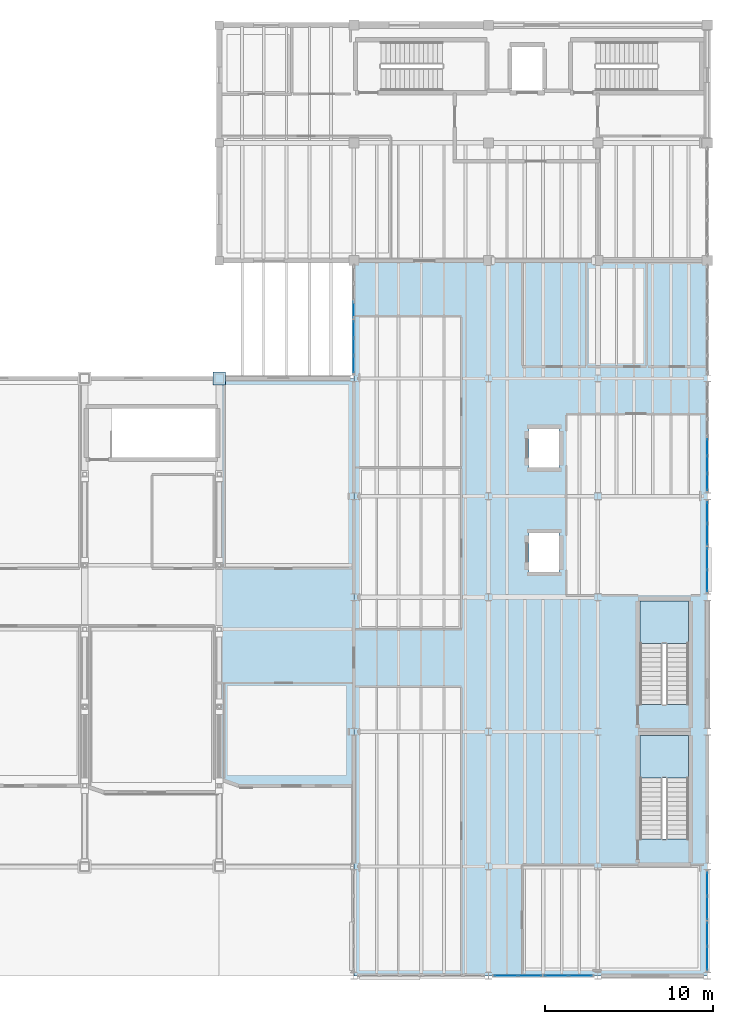
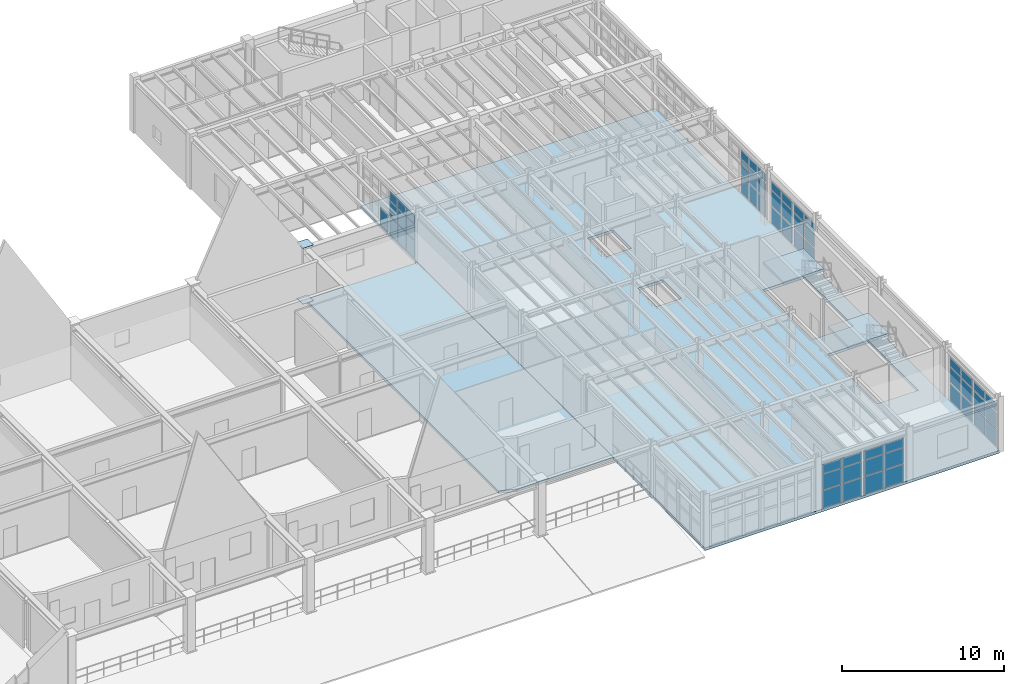
# One storey, part 52 of 78: 57 plates, 4 slabs, 11 elements without a shape of their own.
"""IFC4 building model written with IfcOpenShell, lengths in metres."""

from ifc_helpers import new_model, si_unit, direction, frame, origin, origin_2d, place, context, subcontext, project, spatial, polyline, rectangle, outline, extrude, material, layer, layer_set, material_profile, profile_set, type_object, element, aggregate, save


model = new_model("IFC4")

# Units and contexts
model_context = context("Model", 3, precision=1e-05, world=origin(), true_north=direction((0.0, 1.0)))
body_context = subcontext(model_context, "Body", "Model", "MODEL_VIEW")
ifc_project = project(units=[si_unit("LENGTHUNIT", "METRE"), si_unit("AREAUNIT", "SQUARE_METRE"), si_unit("VOLUMEUNIT", "CUBIC_METRE"), si_unit("PLANEANGLEUNIT", "RADIAN"), si_unit("MASSUNIT", "GRAM", prefix="KILO"), si_unit("THERMODYNAMICTEMPERATUREUNIT", "KELVIN"), si_unit("POWERUNIT", "WATT")], contexts=[model_context])

# Site, building, storey
site_placement = place(None, origin())
site = spatial("IfcSite", under=ifc_project, at=site_placement, CompositionType="ELEMENT")
building_placement = place(site_placement, origin())
building = spatial("IfcBuilding", under=site, at=building_placement, Name="Zhenchuan Central Fire Station", CompositionType="ELEMENT")
storey_placement = place(building_placement, frame((0.0, 0.0, 5.85009765625)))
storey = spatial("IfcBuildingStorey", under=building, at=storey_placement, Name="L02", CompositionType="ELEMENT", Elevation=5.85009765625)

# Curtain wall, plates
ifc_material_1 = material(Name="Anodised aluminium and low-E glazing", Category="aluminium")
curtain_wall_type_1 = type_object("IfcCurtainWallType", Name="CW-MOD-04", PredefinedType="USERDEFINED", material=ifc_material_1)
curtain_wall_1_placement = place(storey_placement, origin())
curtain_wall_1 = element("IfcCurtainWall", 1, at=curtain_wall_1_placement, inside=storey, type_object=curtain_wall_type_1, Name="L02 Unitised Curtain Wall 086", ObjectType="UNITISED GLAZING", PredefinedType="USERDEFINED")
ifc_material_2 = material(Name="Laminated low-E double glazing", Category="glass")
ifc_layer_1 = layer(ifc_material_2, 0.011962890625, Name="Laminated low-E double glazing", Category="glass")
ifc_layer_set_1 = layer_set([ifc_layer_1], Name="Laminated low-E double glazing")
plate_type_1 = type_object("IfcPlateType", Name="CW-PNL12", PredefinedType="CURTAIN_PANEL", material=ifc_layer_set_1)
plate_1_placement = place(storey_placement, frame((149.044189453125, 0.0, 0.06103515625), z_axis=(0.0, 0.0, 1.0), x_axis=(1.0, 0.0, 0.0)))
plate_1 = element("IfcPlate", 2, at=plate_1_placement, type_object=plate_type_1, Name="CW-04 panel 1.1", PredefinedType="CURTAIN_PANEL", context=body_context, shape_type="SweptSolid", body=[
    extrude(rectangle(XDim=1.3583984375, YDim=0.011962890625, at=origin_2d()), origin(), (0.0, 0.0, 1.0), 1.33447265625),
])
plate_2_placement = place(storey_placement, frame((149.044189453125, 0.0, 1.46044921875), z_axis=(0.0, 0.0, 1.0), x_axis=(1.0, 0.0, 0.0)))
plate_2 = element("IfcPlate", 3, at=plate_2_placement, type_object=plate_type_1, Name="CW-04 panel 1.2", PredefinedType="CURTAIN_PANEL", context=body_context, shape_type="SweptSolid", body=[
    extrude(rectangle(XDim=1.3583984375, YDim=0.011962890625, at=origin_2d()), origin(), (0.0, 0.0, 1.0), 1.158935546875),
])
plate_3_placement = place(storey_placement, frame((149.044189453125, 0.0, 2.6845703125), z_axis=(0.0, 0.0, 1.0), x_axis=(1.0, 0.0, 0.0)))
plate_3 = element("IfcPlate", 4, at=plate_3_placement, type_object=plate_type_1, Name="CW-04 panel 1.3", PredefinedType="CURTAIN_PANEL", context=body_context, shape_type="SweptSolid", body=[
    extrude(rectangle(XDim=1.3583984375, YDim=0.011962890625, at=origin_2d()), origin(), (0.0, 0.0, 1.0), 0.650390625),
])
plate_4_placement = place(storey_placement, frame((150.4677734375, 0.0, 0.06103515625), z_axis=(0.0, 0.0, 1.0), x_axis=(1.0, 0.0, 0.0)))
plate_4 = element("IfcPlate", 5, at=plate_4_placement, type_object=plate_type_1, Name="CW-04 panel 2.1", PredefinedType="CURTAIN_PANEL", context=body_context, shape_type="SweptSolid", body=[
    extrude(rectangle(XDim=1.3583984375, YDim=0.011962890625, at=origin_2d()), origin(), (0.0, 0.0, 1.0), 1.33447265625),
])
plate_5_placement = place(storey_placement, frame((150.4677734375, 0.0, 1.46044921875), z_axis=(0.0, 0.0, 1.0), x_axis=(1.0, 0.0, 0.0)))
plate_5 = element("IfcPlate", 6, at=plate_5_placement, type_object=plate_type_1, Name="CW-04 panel 2.2", PredefinedType="CURTAIN_PANEL", context=body_context, shape_type="SweptSolid", body=[
    extrude(rectangle(XDim=1.3583984375, YDim=0.011962890625, at=origin_2d()), origin(), (0.0, 0.0, 1.0), 1.158935546875),
])
plate_6_placement = place(storey_placement, frame((150.4677734375, 0.0, 2.6845703125), z_axis=(0.0, 0.0, 1.0), x_axis=(1.0, 0.0, 0.0)))
plate_6 = element("IfcPlate", 7, at=plate_6_placement, type_object=plate_type_1, Name="CW-04 panel 2.3", PredefinedType="CURTAIN_PANEL", context=body_context, shape_type="SweptSolid", body=[
    extrude(rectangle(XDim=1.3583984375, YDim=0.011962890625, at=origin_2d()), origin(), (0.0, 0.0, 1.0), 0.650390625),
])
aggregate(curtain_wall_1, [plate_1, plate_2, plate_3, plate_4, plate_5, plate_6])

curtain_wall_type_2 = type_object("IfcCurtainWallType", Name="CW-MOD-05", PredefinedType="USERDEFINED", material=ifc_material_1)
curtain_wall_2_placement = place(storey_placement, origin())
curtain_wall_2 = element("IfcCurtainWall", 8, at=curtain_wall_2_placement, inside=storey, type_object=curtain_wall_type_2, Name="L02 Unitised Curtain Wall 087", ObjectType="UNITISED GLAZING", PredefinedType="USERDEFINED")
plate_7_placement = place(storey_placement, frame((152.0322265625, 0.0, 0.06103515625), z_axis=(0.0, 0.0, 1.0), x_axis=(1.0, 0.0, 0.0)))
plate_7 = element("IfcPlate", 9, at=plate_7_placement, type_object=plate_type_1, Name="CW-05 panel 1.1", PredefinedType="CURTAIN_PANEL", context=body_context, shape_type="SweptSolid", body=[
    extrude(rectangle(XDim=1.3583984375, YDim=0.011962890625, at=origin_2d()), origin(), (0.0, 0.0, 1.0), 1.33447265625),
])
plate_8_placement = place(storey_placement, frame((152.0322265625, 0.0, 1.46044921875), z_axis=(0.0, 0.0, 1.0), x_axis=(1.0, 0.0, 0.0)))
plate_8 = element("IfcPlate", 10, at=plate_8_placement, type_object=plate_type_1, Name="CW-05 panel 1.2", PredefinedType="CURTAIN_PANEL", context=body_context, shape_type="SweptSolid", body=[
    extrude(rectangle(XDim=1.3583984375, YDim=0.011962890625, at=origin_2d()), origin(), (0.0, 0.0, 1.0), 1.158935546875),
])
plate_9_placement = place(storey_placement, frame((152.0322265625, 0.0, 2.6845703125), z_axis=(0.0, 0.0, 1.0), x_axis=(1.0, 0.0, 0.0)))
plate_9 = element("IfcPlate", 11, at=plate_9_placement, type_object=plate_type_1, Name="CW-05 panel 1.3", PredefinedType="CURTAIN_PANEL", context=body_context, shape_type="SweptSolid", body=[
    extrude(rectangle(XDim=1.3583984375, YDim=0.011962890625, at=origin_2d()), origin(), (0.0, 0.0, 1.0), 0.650390625),
])
plate_10_placement = place(storey_placement, frame((153.455810546875, 0.0, 0.06103515625), z_axis=(0.0, 0.0, 1.0), x_axis=(1.0, 0.0, 0.0)))
plate_10 = element("IfcPlate", 12, at=plate_10_placement, type_object=plate_type_1, Name="CW-05 panel 2.1", PredefinedType="CURTAIN_PANEL", context=body_context, shape_type="SweptSolid", body=[
    extrude(rectangle(XDim=1.3583984375, YDim=0.011962890625, at=origin_2d()), origin(), (0.0, 0.0, 1.0), 1.33447265625),
])
plate_11_placement = place(storey_placement, frame((153.455810546875, 0.0, 1.46044921875), z_axis=(0.0, 0.0, 1.0), x_axis=(1.0, 0.0, 0.0)))
plate_11 = element("IfcPlate", 13, at=plate_11_placement, type_object=plate_type_1, Name="CW-05 panel 2.2", PredefinedType="CURTAIN_PANEL", context=body_context, shape_type="SweptSolid", body=[
    extrude(rectangle(XDim=1.3583984375, YDim=0.011962890625, at=origin_2d()), origin(), (0.0, 0.0, 1.0), 1.158935546875),
])
plate_12_placement = place(storey_placement, frame((153.455810546875, 0.0, 2.6845703125), z_axis=(0.0, 0.0, 1.0), x_axis=(1.0, 0.0, 0.0)))
plate_12 = element("IfcPlate", 14, at=plate_12_placement, type_object=plate_type_1, Name="CW-05 panel 2.3", PredefinedType="CURTAIN_PANEL", context=body_context, shape_type="SweptSolid", body=[
    extrude(rectangle(XDim=1.3583984375, YDim=0.011962890625, at=origin_2d()), origin(), (0.0, 0.0, 1.0), 0.650390625),
])
aggregate(curtain_wall_2, [plate_7, plate_8, plate_9, plate_10, plate_11, plate_12])

curtain_wall_type_3 = type_object("IfcCurtainWallType", Name="CW-MOD-02", PredefinedType="USERDEFINED", material=ifc_material_1)
curtain_wall_3_placement = place(storey_placement, origin())
curtain_wall_3 = element("IfcCurtainWall", 15, at=curtain_wall_3_placement, inside=storey, type_object=curtain_wall_type_3, Name="L02 Unitised Curtain Wall 088", ObjectType="UNITISED GLAZING", PredefinedType="USERDEFINED")
plate_13_placement = place(storey_placement, frame((161.0, 1.044189453125, 0.06103515625), z_axis=(0.0, 0.0, 1.0), x_axis=(0.0, 1.0, 0.0)))
plate_13 = element("IfcPlate", 16, at=plate_13_placement, type_object=plate_type_1, Name="CW-02 panel 1.1", PredefinedType="CURTAIN_PANEL", context=body_context, shape_type="SweptSolid", body=[
    extrude(rectangle(XDim=1.3583984375, YDim=0.011962890625, at=origin_2d()), origin(), (0.0, 0.0, 1.0), 1.33447265625),
])
plate_14_placement = place(storey_placement, frame((161.0, 1.044189453125, 1.46044921875), z_axis=(0.0, 0.0, 1.0), x_axis=(0.0, 1.0, 0.0)))
plate_14 = element("IfcPlate", 17, at=plate_14_placement, type_object=plate_type_1, Name="CW-02 panel 1.2", PredefinedType="CURTAIN_PANEL", context=body_context, shape_type="SweptSolid", body=[
    extrude(rectangle(XDim=1.3583984375, YDim=0.011962890625, at=origin_2d()), origin(), (0.0, 0.0, 1.0), 1.158935546875),
])
plate_15_placement = place(storey_placement, frame((161.0, 1.044189453125, 2.6845703125), z_axis=(0.0, 0.0, 1.0), x_axis=(0.0, 1.0, 0.0)))
plate_15 = element("IfcPlate", 18, at=plate_15_placement, type_object=plate_type_1, Name="CW-02 panel 1.3", PredefinedType="CURTAIN_PANEL", context=body_context, shape_type="SweptSolid", body=[
    extrude(rectangle(XDim=1.3583984375, YDim=0.011962890625, at=origin_2d()), origin(), (0.0, 0.0, 1.0), 0.650390625),
])
plate_16_placement = place(storey_placement, frame((161.0, 2.4677734375, 0.06103515625), z_axis=(0.0, 0.0, 1.0), x_axis=(0.0, 1.0, 0.0)))
plate_16 = element("IfcPlate", 19, at=plate_16_placement, type_object=plate_type_1, Name="CW-02 panel 2.1", PredefinedType="CURTAIN_PANEL", context=body_context, shape_type="SweptSolid", body=[
    extrude(rectangle(XDim=1.3583984375, YDim=0.011962890625, at=origin_2d()), origin(), (0.0, 0.0, 1.0), 1.33447265625),
])
plate_17_placement = place(storey_placement, frame((161.0, 2.4677734375, 1.46044921875), z_axis=(0.0, 0.0, 1.0), x_axis=(0.0, 1.0, 0.0)))
plate_17 = element("IfcPlate", 20, at=plate_17_placement, type_object=plate_type_1, Name="CW-02 panel 2.2", PredefinedType="CURTAIN_PANEL", context=body_context, shape_type="SweptSolid", body=[
    extrude(rectangle(XDim=1.3583984375, YDim=0.011962890625, at=origin_2d()), origin(), (0.0, 0.0, 1.0), 1.158935546875),
])
plate_18_placement = place(storey_placement, frame((161.0, 2.4677734375, 2.6845703125), z_axis=(0.0, 0.0, 1.0), x_axis=(0.0, 1.0, 0.0)))
plate_18 = element("IfcPlate", 21, at=plate_18_placement, type_object=plate_type_1, Name="CW-02 panel 2.3", PredefinedType="CURTAIN_PANEL", context=body_context, shape_type="SweptSolid", body=[
    extrude(rectangle(XDim=1.3583984375, YDim=0.011962890625, at=origin_2d()), origin(), (0.0, 0.0, 1.0), 0.650390625),
])
aggregate(curtain_wall_3, [plate_13, plate_14, plate_15, plate_16, plate_17, plate_18])

curtain_wall_type_4 = type_object("IfcCurtainWallType", Name="CW-MOD-03", PredefinedType="USERDEFINED", material=ifc_material_1)
curtain_wall_4_placement = place(storey_placement, origin())
curtain_wall_4 = element("IfcCurtainWall", 22, at=curtain_wall_4_placement, inside=storey, type_object=curtain_wall_type_4, Name="L02 Unitised Curtain Wall 089", ObjectType="UNITISED GLAZING", PredefinedType="USERDEFINED")
plate_19_placement = place(storey_placement, frame((161.0, 4.0322265625, 0.06103515625), z_axis=(0.0, 0.0, 1.0), x_axis=(0.0, 1.0, 0.0)))
plate_19 = element("IfcPlate", 23, at=plate_19_placement, type_object=plate_type_1, Name="CW-03 panel 1.1", PredefinedType="CURTAIN_PANEL", context=body_context, shape_type="SweptSolid", body=[
    extrude(rectangle(XDim=1.3583984375, YDim=0.011962890625, at=origin_2d()), origin(), (0.0, 0.0, 1.0), 1.33447265625),
])
plate_20_placement = place(storey_placement, frame((161.0, 4.0322265625, 1.46044921875), z_axis=(0.0, 0.0, 1.0), x_axis=(0.0, 1.0, 0.0)))
plate_20 = element("IfcPlate", 24, at=plate_20_placement, type_object=plate_type_1, Name="CW-03 panel 1.2", PredefinedType="CURTAIN_PANEL", context=body_context, shape_type="SweptSolid", body=[
    extrude(rectangle(XDim=1.3583984375, YDim=0.011962890625, at=origin_2d()), origin(), (0.0, 0.0, 1.0), 1.158935546875),
])
plate_21_placement = place(storey_placement, frame((161.0, 4.0322265625, 2.6845703125), z_axis=(0.0, 0.0, 1.0), x_axis=(0.0, 1.0, 0.0)))
plate_21 = element("IfcPlate", 25, at=plate_21_placement, type_object=plate_type_1, Name="CW-03 panel 1.3", PredefinedType="CURTAIN_PANEL", context=body_context, shape_type="SweptSolid", body=[
    extrude(rectangle(XDim=1.3583984375, YDim=0.011962890625, at=origin_2d()), origin(), (0.0, 0.0, 1.0), 0.650390625),
])
plate_22_placement = place(storey_placement, frame((161.0, 5.455810546875, 0.06103515625), z_axis=(0.0, 0.0, 1.0), x_axis=(0.0, 1.0, 0.0)))
plate_22 = element("IfcPlate", 26, at=plate_22_placement, type_object=plate_type_1, Name="CW-03 panel 2.1", PredefinedType="CURTAIN_PANEL", context=body_context, shape_type="SweptSolid", body=[
    extrude(rectangle(XDim=1.3583984375, YDim=0.011962890625, at=origin_2d()), origin(), (0.0, 0.0, 1.0), 1.33447265625),
])
plate_23_placement = place(storey_placement, frame((161.0, 5.455810546875, 1.46044921875), z_axis=(0.0, 0.0, 1.0), x_axis=(0.0, 1.0, 0.0)))
plate_23 = element("IfcPlate", 27, at=plate_23_placement, type_object=plate_type_1, Name="CW-03 panel 2.2", PredefinedType="CURTAIN_PANEL", context=body_context, shape_type="SweptSolid", body=[
    extrude(rectangle(XDim=1.3583984375, YDim=0.011962890625, at=origin_2d()), origin(), (0.0, 0.0, 1.0), 1.158935546875),
])
plate_24_placement = place(storey_placement, frame((161.0, 5.455810546875, 2.6845703125), z_axis=(0.0, 0.0, 1.0), x_axis=(0.0, 1.0, 0.0)))
plate_24 = element("IfcPlate", 28, at=plate_24_placement, type_object=plate_type_1, Name="CW-03 panel 2.3", PredefinedType="CURTAIN_PANEL", context=body_context, shape_type="SweptSolid", body=[
    extrude(rectangle(XDim=1.3583984375, YDim=0.011962890625, at=origin_2d()), origin(), (0.0, 0.0, 1.0), 0.650390625),
])
aggregate(curtain_wall_4, [plate_19, plate_20, plate_21, plate_22, plate_23, plate_24])

curtain_wall_type_5 = type_object("IfcCurtainWallType", Name="CW-MOD-08", PredefinedType="USERDEFINED", material=ifc_material_1)
curtain_wall_5_placement = place(storey_placement, origin())
curtain_wall_5 = element("IfcCurtainWall", 29, at=curtain_wall_5_placement, inside=storey, type_object=curtain_wall_type_5, Name="L02 Unitised Curtain Wall 090", ObjectType="UNITISED GLAZING", PredefinedType="USERDEFINED")
plate_25_placement = place(storey_placement, frame((161.0, 23.481689453125, 0.06103515625), z_axis=(0.0, 0.0, 1.0), x_axis=(0.0, 1.0, 0.0)))
plate_25 = element("IfcPlate", 30, at=plate_25_placement, type_object=plate_type_1, Name="CW-08 panel 1.1", PredefinedType="CURTAIN_PANEL", context=body_context, shape_type="SweptSolid", body=[
    extrude(rectangle(XDim=1.2333984375, YDim=0.011962890625, at=origin_2d()), origin(), (0.0, 0.0, 1.0), 1.294189453125),
])
plate_26_placement = place(storey_placement, frame((161.0, 23.481689453125, 1.420166015625), z_axis=(0.0, 0.0, 1.0), x_axis=(0.0, 1.0, 0.0)))
plate_26 = element("IfcPlate", 31, at=plate_26_placement, type_object=plate_type_1, Name="CW-08 panel 1.2", PredefinedType="CURTAIN_PANEL", context=body_context, shape_type="SweptSolid", body=[
    extrude(rectangle(XDim=1.2333984375, YDim=0.011962890625, at=origin_2d()), origin(), (0.0, 0.0, 1.0), 1.12451171875),
])
plate_27_placement = place(storey_placement, frame((161.0, 23.481689453125, 2.609619140625), z_axis=(0.0, 0.0, 1.0), x_axis=(0.0, 1.0, 0.0)))
plate_27 = element("IfcPlate", 32, at=plate_27_placement, type_object=plate_type_1, Name="CW-08 panel 1.3", PredefinedType="CURTAIN_PANEL", context=body_context, shape_type="SweptSolid", body=[
    extrude(rectangle(XDim=1.2333984375, YDim=0.011962890625, at=origin_2d()), origin(), (0.0, 0.0, 1.0), 0.62939453125),
])
plate_28_placement = place(storey_placement, frame((161.0, 24.7802734375, 0.06103515625), z_axis=(0.0, 0.0, 1.0), x_axis=(0.0, 1.0, 0.0)))
plate_28 = element("IfcPlate", 33, at=plate_28_placement, type_object=plate_type_1, Name="CW-08 panel 2.1", PredefinedType="CURTAIN_PANEL", context=body_context, shape_type="SweptSolid", body=[
    extrude(rectangle(XDim=1.2333984375, YDim=0.011962890625, at=origin_2d()), origin(), (0.0, 0.0, 1.0), 1.294189453125),
])
plate_29_placement = place(storey_placement, frame((161.0, 24.7802734375, 1.420166015625), z_axis=(0.0, 0.0, 1.0), x_axis=(0.0, 1.0, 0.0)))
plate_29 = element("IfcPlate", 34, at=plate_29_placement, type_object=plate_type_1, Name="CW-08 panel 2.2", PredefinedType="CURTAIN_PANEL", context=body_context, shape_type="SweptSolid", body=[
    extrude(rectangle(XDim=1.2333984375, YDim=0.011962890625, at=origin_2d()), origin(), (0.0, 0.0, 1.0), 1.12451171875),
])
plate_30_placement = place(storey_placement, frame((161.0, 24.7802734375, 2.609619140625), z_axis=(0.0, 0.0, 1.0), x_axis=(0.0, 1.0, 0.0)))
plate_30 = element("IfcPlate", 35, at=plate_30_placement, type_object=plate_type_1, Name="CW-08 panel 2.3", PredefinedType="CURTAIN_PANEL", context=body_context, shape_type="SweptSolid", body=[
    extrude(rectangle(XDim=1.2333984375, YDim=0.011962890625, at=origin_2d()), origin(), (0.0, 0.0, 1.0), 0.62939453125),
])
aggregate(curtain_wall_5, [plate_25, plate_26, plate_27, plate_28, plate_29, plate_30])

curtain_wall_type_6 = type_object("IfcCurtainWallType", Name="CW-MOD-09", PredefinedType="USERDEFINED", material=ifc_material_1)
curtain_wall_6_placement = place(storey_placement, origin())
curtain_wall_6 = element("IfcCurtainWall", 36, at=curtain_wall_6_placement, inside=storey, type_object=curtain_wall_type_6, Name="L02 Unitised Curtain Wall 091", ObjectType="UNITISED GLAZING", PredefinedType="USERDEFINED")
plate_31_placement = place(storey_placement, frame((161.0, 26.2197265625, 0.06103515625), z_axis=(0.0, 0.0, 1.0), x_axis=(0.0, 1.0, 0.0)))
plate_31 = element("IfcPlate", 37, at=plate_31_placement, type_object=plate_type_1, Name="CW-09 panel 1.1", PredefinedType="CURTAIN_PANEL", context=body_context, shape_type="SweptSolid", body=[
    extrude(rectangle(XDim=1.2333984375, YDim=0.011962890625, at=origin_2d()), origin(), (0.0, 0.0, 1.0), 1.294189453125),
])
plate_32_placement = place(storey_placement, frame((161.0, 26.2197265625, 1.420166015625), z_axis=(0.0, 0.0, 1.0), x_axis=(0.0, 1.0, 0.0)))
plate_32 = element("IfcPlate", 38, at=plate_32_placement, type_object=plate_type_1, Name="CW-09 panel 1.2", PredefinedType="CURTAIN_PANEL", context=body_context, shape_type="SweptSolid", body=[
    extrude(rectangle(XDim=1.2333984375, YDim=0.011962890625, at=origin_2d()), origin(), (0.0, 0.0, 1.0), 1.12451171875),
])
plate_33_placement = place(storey_placement, frame((161.0, 26.2197265625, 2.609619140625), z_axis=(0.0, 0.0, 1.0), x_axis=(0.0, 1.0, 0.0)))
plate_33 = element("IfcPlate", 39, at=plate_33_placement, type_object=plate_type_1, Name="CW-09 panel 1.3", PredefinedType="CURTAIN_PANEL", context=body_context, shape_type="SweptSolid", body=[
    extrude(rectangle(XDim=1.2333984375, YDim=0.011962890625, at=origin_2d()), origin(), (0.0, 0.0, 1.0), 0.62939453125),
])
plate_34_placement = place(storey_placement, frame((161.0, 27.518310546875, 0.06103515625), z_axis=(0.0, 0.0, 1.0), x_axis=(0.0, 1.0, 0.0)))
plate_34 = element("IfcPlate", 40, at=plate_34_placement, type_object=plate_type_1, Name="CW-09 panel 2.1", PredefinedType="CURTAIN_PANEL", context=body_context, shape_type="SweptSolid", body=[
    extrude(rectangle(XDim=1.2333984375, YDim=0.011962890625, at=origin_2d()), origin(), (0.0, 0.0, 1.0), 1.294189453125),
])
plate_35_placement = place(storey_placement, frame((161.0, 27.518310546875, 1.420166015625), z_axis=(0.0, 0.0, 1.0), x_axis=(0.0, 1.0, 0.0)))
plate_35 = element("IfcPlate", 41, at=plate_35_placement, type_object=plate_type_1, Name="CW-09 panel 2.2", PredefinedType="CURTAIN_PANEL", context=body_context, shape_type="SweptSolid", body=[
    extrude(rectangle(XDim=1.2333984375, YDim=0.011962890625, at=origin_2d()), origin(), (0.0, 0.0, 1.0), 1.12451171875),
])
plate_36_placement = place(storey_placement, frame((161.0, 27.518310546875, 2.609619140625), z_axis=(0.0, 0.0, 1.0), x_axis=(0.0, 1.0, 0.0)))
plate_36 = element("IfcPlate", 42, at=plate_36_placement, type_object=plate_type_1, Name="CW-09 panel 2.3", PredefinedType="CURTAIN_PANEL", context=body_context, shape_type="SweptSolid", body=[
    extrude(rectangle(XDim=1.2333984375, YDim=0.011962890625, at=origin_2d()), origin(), (0.0, 0.0, 1.0), 0.62939453125),
])
aggregate(curtain_wall_6, [plate_31, plate_32, plate_33, plate_34, plate_35, plate_36])

curtain_wall_type_7 = type_object("IfcCurtainWallType", Name="CW-MOD-10", PredefinedType="USERDEFINED", material=ifc_material_1)
curtain_wall_7_placement = place(storey_placement, origin())
curtain_wall_7 = element("IfcCurtainWall", 43, at=curtain_wall_7_placement, inside=storey, type_object=curtain_wall_type_7, Name="L02 Unitised Curtain Wall 092", ObjectType="UNITISED GLAZING", PredefinedType="USERDEFINED")
plate_37_placement = place(storey_placement, frame((161.0, 29.34326171875, 0.06103515625), z_axis=(0.0, 0.0, 1.0), x_axis=(0.0, 1.0, 0.0)))
plate_37 = element("IfcPlate", 44, at=plate_37_placement, type_object=plate_type_1, Name="CW-10 panel 1.1", PredefinedType="CURTAIN_PANEL", context=body_context, shape_type="SweptSolid", body=[
    extrude(rectangle(XDim=0.95654296875, YDim=0.011962890625, at=origin_2d()), origin(), (0.0, 0.0, 1.0), 1.33447265625),
])
plate_38_placement = place(storey_placement, frame((161.0, 29.34326171875, 1.46044921875), z_axis=(0.0, 0.0, 1.0), x_axis=(0.0, 1.0, 0.0)))
plate_38 = element("IfcPlate", 45, at=plate_38_placement, type_object=plate_type_1, Name="CW-10 panel 1.2", PredefinedType="CURTAIN_PANEL", context=body_context, shape_type="SweptSolid", body=[
    extrude(rectangle(XDim=0.95654296875, YDim=0.011962890625, at=origin_2d()), origin(), (0.0, 0.0, 1.0), 1.158935546875),
])
plate_39_placement = place(storey_placement, frame((161.0, 29.34326171875, 2.6845703125), z_axis=(0.0, 0.0, 1.0), x_axis=(0.0, 1.0, 0.0)))
plate_39 = element("IfcPlate", 46, at=plate_39_placement, type_object=plate_type_1, Name="CW-10 panel 1.3", PredefinedType="CURTAIN_PANEL", context=body_context, shape_type="SweptSolid", body=[
    extrude(rectangle(XDim=0.95654296875, YDim=0.011962890625, at=origin_2d()), origin(), (0.0, 0.0, 1.0), 0.650390625),
])
plate_40_placement = place(storey_placement, frame((161.0, 30.381103515625, 0.06103515625), z_axis=(0.0, 0.0, 1.0), x_axis=(0.0, 1.0, 0.0)))
plate_40 = element("IfcPlate", 47, at=plate_40_placement, type_object=plate_type_1, Name="CW-10 panel 2.1", PredefinedType="CURTAIN_PANEL", context=body_context, shape_type="SweptSolid", body=[
    extrude(rectangle(XDim=0.989013671875, YDim=0.011962890625, at=origin_2d()), origin(), (0.0, 0.0, 1.0), 1.33447265625),
])
plate_41_placement = place(storey_placement, frame((161.0, 30.381103515625, 1.46044921875), z_axis=(0.0, 0.0, 1.0), x_axis=(0.0, 1.0, 0.0)))
plate_41 = element("IfcPlate", 48, at=plate_41_placement, type_object=plate_type_1, Name="CW-10 panel 2.2", PredefinedType="CURTAIN_PANEL", context=body_context, shape_type="SweptSolid", body=[
    extrude(rectangle(XDim=0.989013671875, YDim=0.011962890625, at=origin_2d()), origin(), (0.0, 0.0, 1.0), 1.158935546875),
])
plate_42_placement = place(storey_placement, frame((161.0, 30.381103515625, 2.6845703125), z_axis=(0.0, 0.0, 1.0), x_axis=(0.0, 1.0, 0.0)))
plate_42 = element("IfcPlate", 49, at=plate_42_placement, type_object=plate_type_1, Name="CW-10 panel 2.3", PredefinedType="CURTAIN_PANEL", context=body_context, shape_type="SweptSolid", body=[
    extrude(rectangle(XDim=0.989013671875, YDim=0.011962890625, at=origin_2d()), origin(), (0.0, 0.0, 1.0), 0.650390625),
])
plate_43_placement = place(storey_placement, frame((161.0, 31.418701171875, 0.06103515625), z_axis=(0.0, 0.0, 1.0), x_axis=(0.0, 1.0, 0.0)))
plate_43 = element("IfcPlate", 50, at=plate_43_placement, type_object=plate_type_1, Name="CW-10 panel 3.1", PredefinedType="CURTAIN_PANEL", context=body_context, shape_type="SweptSolid", body=[
    extrude(rectangle(XDim=0.95654296875, YDim=0.011962890625, at=origin_2d()), origin(), (0.0, 0.0, 1.0), 1.33447265625),
])
plate_44_placement = place(storey_placement, frame((161.0, 31.418701171875, 1.46044921875), z_axis=(0.0, 0.0, 1.0), x_axis=(0.0, 1.0, 0.0)))
plate_44 = element("IfcPlate", 51, at=plate_44_placement, type_object=plate_type_1, Name="CW-10 panel 3.2", PredefinedType="CURTAIN_PANEL", context=body_context, shape_type="SweptSolid", body=[
    extrude(rectangle(XDim=0.95654296875, YDim=0.011962890625, at=origin_2d()), origin(), (0.0, 0.0, 1.0), 1.158935546875),
])
plate_45_placement = place(storey_placement, frame((161.0, 31.418701171875, 2.6845703125), z_axis=(0.0, 0.0, 1.0), x_axis=(0.0, 1.0, 0.0)))
plate_45 = element("IfcPlate", 52, at=plate_45_placement, type_object=plate_type_1, Name="CW-10 panel 3.3", PredefinedType="CURTAIN_PANEL", context=body_context, shape_type="SweptSolid", body=[
    extrude(rectangle(XDim=0.95654296875, YDim=0.011962890625, at=origin_2d()), origin(), (0.0, 0.0, 1.0), 0.650390625),
])
aggregate(curtain_wall_7, [plate_37, plate_38, plate_39, plate_40, plate_41, plate_42, plate_43, plate_44, plate_45])

curtain_wall_type_8 = type_object("IfcCurtainWallType", Name="CW-MOD-11", PredefinedType="USERDEFINED", material=ifc_material_1)
curtain_wall_8_placement = place(storey_placement, origin())
curtain_wall_8 = element("IfcCurtainWall", 53, at=curtain_wall_8_placement, inside=storey, type_object=curtain_wall_type_8, Name="L02 Unitised Curtain Wall 098", ObjectType="UNITISED GLAZING", PredefinedType="USERDEFINED")
plate_46_placement = place(storey_placement, frame((140.0, 36.34326171875, 0.06103515625), z_axis=(0.0, 0.0, 1.0), x_axis=(0.0, 1.0, 0.0)))
plate_46 = element("IfcPlate", 54, at=plate_46_placement, type_object=plate_type_1, Name="CW-11 panel 1.1", PredefinedType="CURTAIN_PANEL", context=body_context, shape_type="SweptSolid", body=[
    extrude(rectangle(XDim=0.95654296875, YDim=0.011962890625, at=origin_2d()), origin(), (0.0, 0.0, 1.0), 1.33447265625),
])
plate_47_placement = place(storey_placement, frame((140.0, 36.34326171875, 1.46044921875), z_axis=(0.0, 0.0, 1.0), x_axis=(0.0, 1.0, 0.0)))
plate_47 = element("IfcPlate", 55, at=plate_47_placement, type_object=plate_type_1, Name="CW-11 panel 1.2", PredefinedType="CURTAIN_PANEL", context=body_context, shape_type="SweptSolid", body=[
    extrude(rectangle(XDim=0.95654296875, YDim=0.011962890625, at=origin_2d()), origin(), (0.0, 0.0, 1.0), 1.158935546875),
])
plate_48_placement = place(storey_placement, frame((140.0, 36.34326171875, 2.6845703125), z_axis=(0.0, 0.0, 1.0), x_axis=(0.0, 1.0, 0.0)))
plate_48 = element("IfcPlate", 56, at=plate_48_placement, type_object=plate_type_1, Name="CW-11 panel 1.3", PredefinedType="CURTAIN_PANEL", context=body_context, shape_type="SweptSolid", body=[
    extrude(rectangle(XDim=0.95654296875, YDim=0.011962890625, at=origin_2d()), origin(), (0.0, 0.0, 1.0), 0.650390625),
])
plate_49_placement = place(storey_placement, frame((140.0, 37.381103515625, 0.06103515625), z_axis=(0.0, 0.0, 1.0), x_axis=(0.0, 1.0, 0.0)))
plate_49 = element("IfcPlate", 57, at=plate_49_placement, type_object=plate_type_1, Name="CW-11 panel 2.1", PredefinedType="CURTAIN_PANEL", context=body_context, shape_type="SweptSolid", body=[
    extrude(rectangle(XDim=0.989013671875, YDim=0.011962890625, at=origin_2d()), origin(), (0.0, 0.0, 1.0), 1.33447265625),
])
plate_50_placement = place(storey_placement, frame((140.0, 37.381103515625, 1.46044921875), z_axis=(0.0, 0.0, 1.0), x_axis=(0.0, 1.0, 0.0)))
plate_50 = element("IfcPlate", 58, at=plate_50_placement, type_object=plate_type_1, Name="CW-11 panel 2.2", PredefinedType="CURTAIN_PANEL", context=body_context, shape_type="SweptSolid", body=[
    extrude(rectangle(XDim=0.989013671875, YDim=0.011962890625, at=origin_2d()), origin(), (0.0, 0.0, 1.0), 1.158935546875),
])
plate_51_placement = place(storey_placement, frame((140.0, 37.381103515625, 2.6845703125), z_axis=(0.0, 0.0, 1.0), x_axis=(0.0, 1.0, 0.0)))
plate_51 = element("IfcPlate", 59, at=plate_51_placement, type_object=plate_type_1, Name="CW-11 panel 2.3", PredefinedType="CURTAIN_PANEL", context=body_context, shape_type="SweptSolid", body=[
    extrude(rectangle(XDim=0.989013671875, YDim=0.011962890625, at=origin_2d()), origin(), (0.0, 0.0, 1.0), 0.650390625),
])
plate_52_placement = place(storey_placement, frame((140.0, 38.418701171875, 0.06103515625), z_axis=(0.0, 0.0, 1.0), x_axis=(0.0, 1.0, 0.0)))
plate_52 = element("IfcPlate", 60, at=plate_52_placement, type_object=plate_type_1, Name="CW-11 panel 3.1", PredefinedType="CURTAIN_PANEL", context=body_context, shape_type="SweptSolid", body=[
    extrude(rectangle(XDim=0.95654296875, YDim=0.011962890625, at=origin_2d()), origin(), (0.0, 0.0, 1.0), 1.33447265625),
])
plate_53_placement = place(storey_placement, frame((140.0, 38.418701171875, 1.46044921875), z_axis=(0.0, 0.0, 1.0), x_axis=(0.0, 1.0, 0.0)))
plate_53 = element("IfcPlate", 61, at=plate_53_placement, type_object=plate_type_1, Name="CW-11 panel 3.2", PredefinedType="CURTAIN_PANEL", context=body_context, shape_type="SweptSolid", body=[
    extrude(rectangle(XDim=0.95654296875, YDim=0.011962890625, at=origin_2d()), origin(), (0.0, 0.0, 1.0), 1.158935546875),
])
plate_54_placement = place(storey_placement, frame((140.0, 38.418701171875, 2.6845703125), z_axis=(0.0, 0.0, 1.0), x_axis=(0.0, 1.0, 0.0)))
plate_54 = element("IfcPlate", 62, at=plate_54_placement, type_object=plate_type_1, Name="CW-11 panel 3.3", PredefinedType="CURTAIN_PANEL", context=body_context, shape_type="SweptSolid", body=[
    extrude(rectangle(XDim=0.95654296875, YDim=0.011962890625, at=origin_2d()), origin(), (0.0, 0.0, 1.0), 0.650390625),
])
aggregate(curtain_wall_8, [plate_46, plate_47, plate_48, plate_49, plate_50, plate_51, plate_52, plate_53, plate_54])

# Curtain wall, plate
curtain_wall_type_9 = type_object("IfcCurtainWallType", Name="CW-MOD-12", PredefinedType="USERDEFINED", material=ifc_material_1)
curtain_wall_9_placement = place(storey_placement, origin())
curtain_wall_9 = element("IfcCurtainWall", 63, at=curtain_wall_9_placement, inside=storey, type_object=curtain_wall_type_9, Name="L02 Unitised Curtain Wall 099", ObjectType="UNITISED GLAZING", PredefinedType="USERDEFINED")
plate_55_placement = place(storey_placement, frame((140.0, 39.583740234375, 0.07080078125), z_axis=(0.0, 0.0, 1.0), x_axis=(0.0, 1.0, 0.0)))
plate_55 = element("IfcPlate", 64, at=plate_55_placement, type_object=plate_type_1, Name="CW-12 panel 1.1", PredefinedType="CURTAIN_PANEL", context=body_context, shape_type="SweptSolid", body=[
    extrude(rectangle(XDim=0.94140625, YDim=0.011962890625, at=origin_2d()), origin(), (0.0, 0.0, 1.0), 1.319580078125),
])
aggregate(curtain_wall_9, [plate_55])

# Plates
ifc_material_3 = material(Name="Steel Q355B", Category="steel")
ifc_material_profile = material_profile(ifc_material_3, rectangle(XDim=0.760009765625, YDim=0.760009765625, at=origin_2d()), Name="PL 760x760x40")
ifc_profile_set = profile_set([ifc_material_profile], Name="Steel Q355B")
plate_type_2 = type_object("IfcPlateType", Name="PL-BAS40-INT", PredefinedType="SHEET", material=ifc_profile_set)
for number, where, z_axis, x_axis, name in (
    (65, (132.0, 35.5, -0.01611328125), (0.0, 0.0, 1.0), (1.0, 0.0, 0.0), "L02 Column 080 end cap plate A"),
    (66, (132.0, 35.5, 4.19580078125), (0.0, 0.0, 1.0), (1.0, 0.0, 0.0), "L02 Column 080 end cap plate B"),
):
    element("IfcPlate", number, at=place(storey_placement, frame(where, z_axis=z_axis, x_axis=x_axis)), inside=storey, type_object=plate_type_2, Name=name, PredefinedType="SHEET", context=body_context, shape_type="SweptSolid", body=[
        extrude(rectangle(XDim=0.760009765625, YDim=0.760009765625, at=origin_2d()), origin(), (0.0, 0.0, 1.0), 0.02001953125),
    ])

# Slabs
ifc_material_4 = material(Name="Concrete C35/45", Category="concrete")
ifc_layer_2 = layer(ifc_material_4, 0.199951171875, Name="Concrete C35/45", Category="concrete")
ifc_layer_set_2 = layer_set([ifc_layer_2], Name="Concrete C35/45")
slab_type_1 = type_object("IfcSlabType", Name="SL-FLR200", PredefinedType="FLOOR", material=ifc_layer_set_2)
slab_1_placement = place(storey_placement, frame((0.0, 0.0, -0.2001953125)))
element("IfcSlab", 67, at=slab_1_placement, inside=storey, type_object=slab_type_1, Name="L02 Pavilion H10 Floor Slab", PredefinedType="FLOOR", context=body_context, shape_type="SweptSolid", body=[
    extrude(outline(polyline([(132.02490234375, 11.699951171875), (133.125, 11.300048828125), (139.99609375, 11.300048828125), (139.99609375, 35.5), (132.02490234375, 35.5), (132.02490234375, 11.699951171875)])), origin(), (0.0, 0.0, 1.0), 0.2001953125),
])
slab_2_placement = place(storey_placement, frame((0.0, 0.0, -0.2001953125)))
element("IfcSlab", 68, at=slab_2_placement, inside=storey, type_object=slab_type_1, Name="L02 Headquarters Operations Floor Slab", PredefinedType="FLOOR", context=body_context, shape_type="SweptSolid", body=[
    extrude(outline(polyline([(140.00390625, 0.0), (161.0, 0.0), (161.0, 42.5), (140.00390625, 42.5), (140.00390625, 0.0)]), holes=[polyline([(159.89990234375, 8.12060546875), (159.89990234375, 14.280029296875), (157.0, 14.280029296875), (157.0, 8.12060546875), (159.89990234375, 8.12060546875)]), polyline([(159.89990234375, 16.12060546875), (159.89990234375, 22.280029296875), (157.0, 22.280029296875), (157.0, 16.12060546875), (159.89990234375, 16.12060546875)]), polyline([(150.39990234375, 24.0), (152.199951171875, 24.0), (152.199951171875, 26.300048828125), (150.39990234375, 26.300048828125), (150.39990234375, 24.0)]), polyline([(150.39990234375, 30.199951171875), (152.199951171875, 30.199951171875), (152.199951171875, 32.5), (150.39990234375, 32.5), (150.39990234375, 30.199951171875)])]), origin(), (0.0, 0.0, 1.0), 0.2001953125),
])

# Stair, slab
stair_type = type_object("IfcStairType", Name="ST-CORE-TYP", PredefinedType="HALF_TURN_STAIR", material=ifc_material_4)
stair_1_placement = place(storey_placement, origin())
stair_1 = element("IfcStair", 69, at=stair_1_placement, inside=storey, type_object=stair_type, Name="L02 Headquarters South Exit Stair", PredefinedType="HALF_TURN_STAIR")
ifc_layer_3 = layer(ifc_material_4, 0.159912109375, Name="Concrete C35/45", Category="concrete")
ifc_layer_set_3 = layer_set([ifc_layer_3], Name="Concrete C35/45")
slab_type_2 = type_object("IfcSlabType", Name="SL-LND160", PredefinedType="LANDING", material=ifc_layer_set_3)
slab_3_placement = place(storey_placement, frame((0.0, 0.0, 1.89990234375)))
slab_3 = element("IfcSlab", 70, at=slab_3_placement, type_object=slab_type_2, Name="ST-10 landing 1", PredefinedType="LANDING", context=body_context, shape_type="SweptSolid", body=[
    extrude(outline(polyline([(159.89990234375, 11.760009765625), (159.89990234375, 14.280029296875), (157.0, 14.280029296875), (157.0, 11.760009765625), (159.89990234375, 11.760009765625)])), origin(), (0.0, 0.0, 1.0), 0.199951171875),
])
aggregate(stair_1, [slab_3])

stair_2_placement = place(storey_placement, origin())
stair_2 = element("IfcStair", 71, at=stair_2_placement, inside=storey, type_object=stair_type, Name="L02 Headquarters North Exit Stair", PredefinedType="HALF_TURN_STAIR")
slab_4_placement = place(storey_placement, frame((0.0, 0.0, 1.89990234375)))
slab_4 = element("IfcSlab", 72, at=slab_4_placement, type_object=slab_type_2, Name="ST-11 landing 1", PredefinedType="LANDING", context=body_context, shape_type="SweptSolid", body=[
    extrude(outline(polyline([(159.89990234375, 19.760009765625), (159.89990234375, 22.280029296875), (157.0, 22.280029296875), (157.0, 19.760009765625), (159.89990234375, 19.760009765625)])), origin(), (0.0, 0.0, 1.0), 0.199951171875),
])
aggregate(stair_2, [slab_4])

save(model, "model.ifc")
